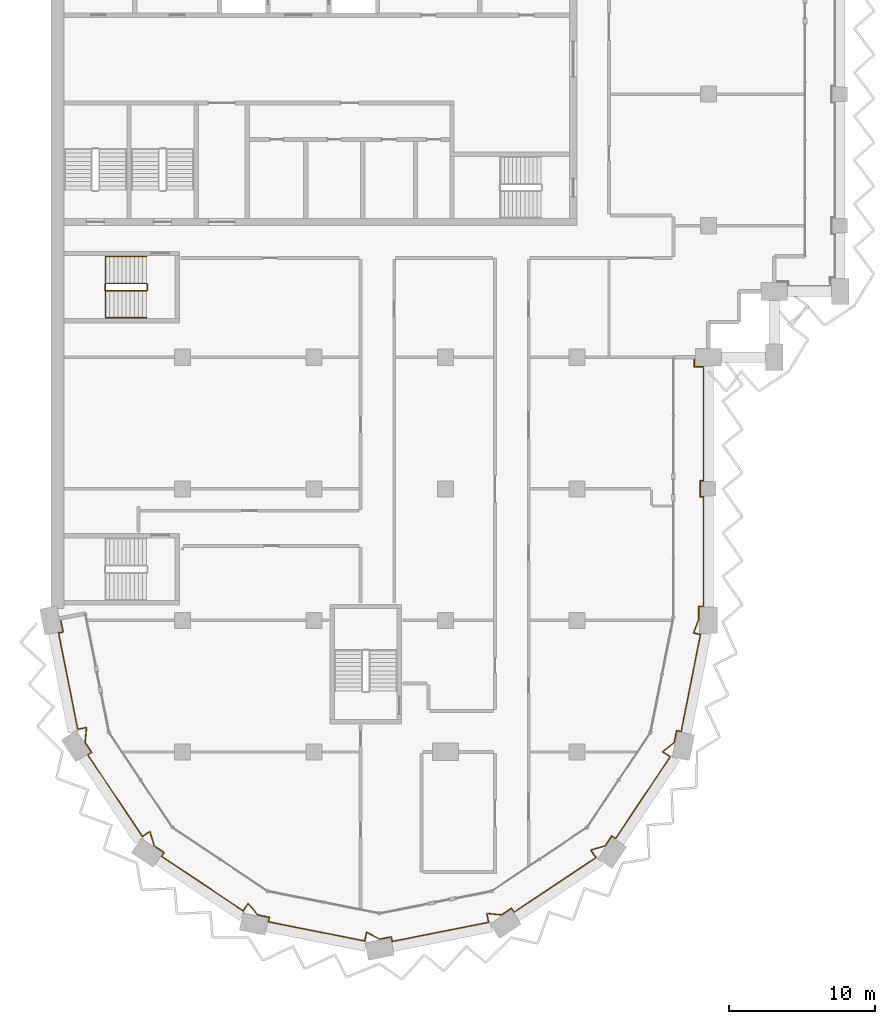
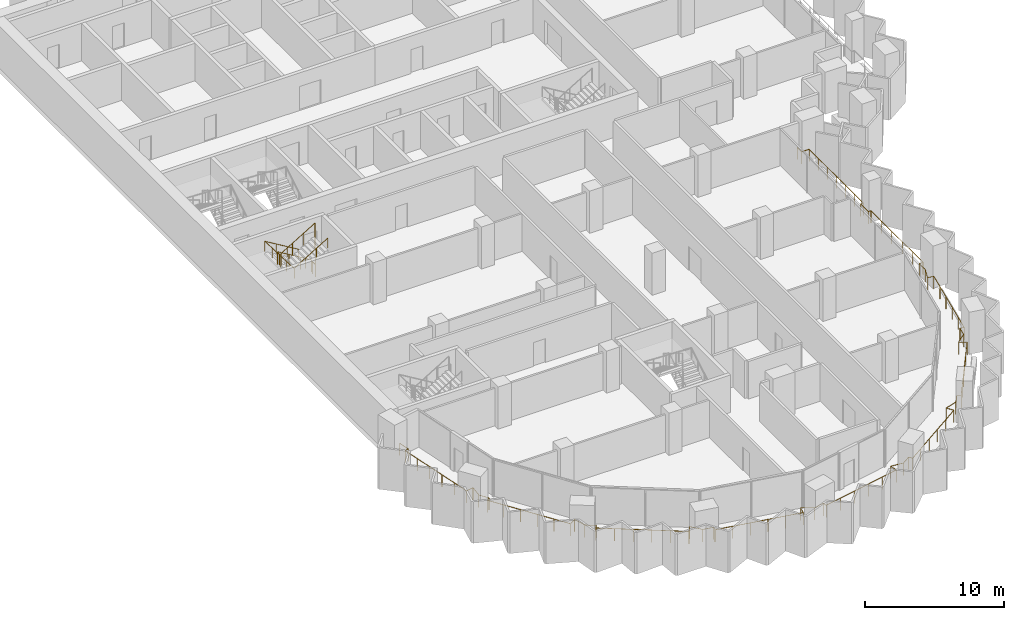
# One storey, part 15 of 17: 3 railings.
"""IFC4 building model written with IfcOpenShell, lengths in metres."""

from ifc_helpers import new_model, si_unit, direction, frame, origin, origin_2d, place, context, subcontext, project, spatial, circle, extrude, material, type_object, element, save


model = new_model("IFC4")

# Units and contexts
model_context = context("Model", 3, precision=1e-05, world=origin(), true_north=direction((0.0, 1.0)))
body_context = subcontext(model_context, "Body", "Model", "MODEL_VIEW")
ifc_project = project(units=[si_unit("LENGTHUNIT", "METRE"), si_unit("AREAUNIT", "SQUARE_METRE"), si_unit("VOLUMEUNIT", "CUBIC_METRE"), si_unit("PLANEANGLEUNIT", "RADIAN"), si_unit("MASSUNIT", "GRAM", prefix="KILO")], contexts=[model_context])

# Site, building, storey
site_placement = place(None, origin())
site = spatial("IfcSite", under=ifc_project, at=site_placement, CompositionType="ELEMENT")
building_placement = place(site_placement, origin())
building = spatial("IfcBuilding", under=site, at=building_placement, Name="Hunhe Ridgeline Campus", CompositionType="ELEMENT")
storey_placement = place(building_placement, frame((0.0, 0.0, 208.699951171875)))
storey = spatial("IfcBuildingStorey", under=building, at=storey_placement, Name="L53", CompositionType="ELEMENT", Elevation=208.699951171875)

# Railings
ifc_material_1 = material(Name="Steel Q355", Category="steel")
railing_type_1 = type_object("IfcRailingType", Name="Loggia guard 1100 Steel Q355", PredefinedType="GUARDRAIL", material=ifc_material_1)
railing_1_placement = place(storey_placement, frame((0.6572265625, 36.130615234375, 0.0)))
element("IfcRailing", 1, at=railing_1_placement, inside=storey, type_object=railing_type_1, Name="Loggia guard 1", PredefinedType="GUARDRAIL", context=body_context, shape_type="SweptSolid", body=[
    extrude(circle(Radius=0.02392578125, at=origin_2d()), frame((0.0, 0.0, 1.076171875), z_axis=(0.195078060519, -0.980787719287, 0.0), x_axis=(0.980787719287, 0.195078060519, 0.0)), (0.0, 0.0, 1.0), 0.949951171875),
    extrude(circle(Radius=0.02392578125, at=origin_2d()), frame((0.185302734375, -0.931640625, 1.076171875), z_axis=(-0.980756274917, -0.195236085831, 0.0), x_axis=(0.195236085831, -0.980756274917, 0.0)), (0.0, 0.0, 1.0), 0.320068359375),
    extrude(circle(Radius=0.02392578125, at=origin_2d()), frame((-0.128662109375, -0.994140625, 1.076171875), z_axis=(0.195081688297, -0.980786997717, 0.0), x_axis=(0.980786997717, 0.195081688297, 0.0)), (0.0, 0.0, 1.0), 6.718017578125),
    extrude(circle(Radius=0.02392578125, at=origin_2d()), frame((1.181884765625, -7.5830078125, 1.076171875), z_axis=(0.980747227858, 0.195281527671, 0.0), x_axis=(-0.195281527671, 0.980747227858, 0.0)), (0.0, 0.0, 1.0), 0.618896484375),
    extrude(circle(Radius=0.02392578125, at=origin_2d()), frame((1.788818359375, -7.462158203125, 1.076171875), z_axis=(-0.100047453171, -0.99498266674, 0.0), x_axis=(0.99498266674, -0.100047453171, 0.0)), (0.0, 0.0, 1.0), 1.0224609375),
    extrude(circle(Radius=0.02392578125, at=origin_2d()), frame((1.6865234375, -8.4794921875, 1.076171875), z_axis=(0.555596479569, -0.83145207432, 0.0), x_axis=(0.83145207432, 0.555596479569, 0.0)), (0.0, 0.0, 1.0), 0.81689453125),
    extrude(circle(Radius=0.02392578125, at=origin_2d()), frame((2.140380859375, -9.15869140625, 1.076171875), z_axis=(-0.831580508376, -0.555404229448, 0.0), x_axis=(0.555404229448, -0.831580508376, 0.0)), (0.0, 0.0, 1.0), 0.320068359375),
    extrude(circle(Radius=0.02392578125, at=origin_2d()), frame((1.874267578125, -9.33642578125, 1.076171875), z_axis=(0.555588848626, -0.831457173451, 0.0), x_axis=(0.831457173451, 0.555588848626, 0.0)), (0.0, 0.0, 1.0), 6.718017578125),
    extrude(circle(Radius=0.02392578125, at=origin_2d()), frame((5.606689453125, -14.922119140625, 1.076171875), z_axis=(0.831442704119, 0.555610501851, 0.0), x_axis=(-0.555610501851, 0.831442704119, 0.0)), (0.0, 0.0, 1.0), 0.61865234375),
    extrude(circle(Radius=0.02392578125, at=origin_2d()), frame((6.12109375, -14.578369140625, 1.076171875), z_axis=(0.28844300651, -0.957497066312, 0.0), x_axis=(0.957497066312, 0.28844300651, 0.0)), (0.0, 0.0, 1.0), 1.0224609375),
    extrude(circle(Radius=0.02392578125, at=origin_2d()), frame((6.416015625, -15.557373046875, 1.076171875), z_axis=(0.831359782977, -0.55573456906, 0.0), x_axis=(0.55573456906, 0.831359782977, 0.0)), (0.0, 0.0, 1.0), 0.816650390625),
    extrude(circle(Radius=0.02392578125, at=origin_2d()), frame((7.094970703125, -16.01123046875, 1.076171875), z_axis=(-0.555404229448, -0.831580508376, 0.0), x_axis=(0.831580508376, -0.555404229448, 0.0)), (0.0, 0.0, 1.0), 0.320068359375),
    extrude(circle(Radius=0.02392578125, at=origin_2d()), frame((6.917236328125, -16.27734375, 1.076171875), z_axis=(0.831473961305, -0.555563724222, 0.0), x_axis=(0.555563724222, 0.831473961305, 0.0)), (0.0, 0.0, 1.0), 6.7177734375),
    extrude(circle(Radius=0.02392578125, at=origin_2d()), frame((12.5029296875, -20.009521484375, 1.076171875), z_axis=(0.555610501851, 0.831442704119, 0.0), x_axis=(-0.831442704119, 0.555610501851, 0.0)), (0.0, 0.0, 1.0), 0.61865234375),
    extrude(circle(Radius=0.02392578125, at=origin_2d()), frame((12.8466796875, -19.4951171875, 1.076171875), z_axis=(0.63289971186, -0.774233785576, 0.0), x_axis=(0.774233785576, 0.63289971186, 0.0)), (0.0, 0.0, 1.0), 1.022705078125),
    extrude(circle(Radius=0.02392578125, at=origin_2d()), frame((13.493896484375, -20.286865234375, 1.076171875), z_axis=(0.980821383877, -0.194908729743, 0.0), x_axis=(0.194908729743, 0.980821383877, 0.0)), (0.0, 0.0, 1.0), 0.816650390625),
    extrude(circle(Radius=0.02392578125, at=origin_2d()), frame((14.294921875, -20.446044921875, 1.076171875), z_axis=(-0.195236085831, -0.980756274917, 0.0), x_axis=(0.980756274917, -0.195236085831, 0.0)), (0.0, 0.0, 1.0), 0.320068359375),
    extrude(circle(Radius=0.02392578125, at=origin_2d()), frame((14.232421875, -20.760009765625, 1.076171875), z_axis=(0.980786997717, -0.195081688297, 0.0), x_axis=(0.195081688297, 0.980786997717, 0.0)), (0.0, 0.0, 1.0), 6.718017578125),
    extrude(circle(Radius=0.02392578125, at=origin_2d()), frame((20.8212890625, -22.070556640625, 1.076171875), z_axis=(0.194902020226, 0.980822717168, 0.0), x_axis=(-0.980822717168, 0.194902020226, 0.0)), (0.0, 0.0, 1.0), 0.618896484375),
    extrude(circle(Radius=0.02392578125, at=origin_2d()), frame((20.94189453125, -21.463623046875, 1.076171875), z_axis=(0.880961256043, -0.473188403652, 0.0), x_axis=(0.473188403652, 0.880961256043, 0.0)), (0.0, 0.0, 1.0), 1.022705078125),
    extrude(circle(Radius=0.02392578125, at=origin_2d()), frame((21.8427734375, -21.947509765625, 1.076171875), z_axis=(0.980764196543, 0.195196287822, 0.0), x_axis=(-0.195196287822, 0.980764196543, 0.0)), (0.0, 0.0, 1.0), 0.816650390625),
    extrude(circle(Radius=0.02392578125, at=origin_2d()), frame((22.643798828125, -21.7880859375, 1.076171875), z_axis=(0.195236085831, -0.980756274917, 0.0), x_axis=(0.980756274917, 0.195236085831, 0.0)), (0.0, 0.0, 1.0), 0.320068359375),
    extrude(circle(Radius=0.02392578125, at=origin_2d()), frame((22.706298828125, -22.10205078125, 1.076171875), z_axis=(0.980786997717, 0.195081688297, 0.0), x_axis=(-0.195081688297, 0.980786997717, 0.0)), (0.0, 0.0, 1.0), 6.718017578125),
    extrude(circle(Radius=0.02392578125, at=origin_2d()), frame((29.295166015625, -20.79150390625, 1.076171875), z_axis=(-0.195281527671, 0.980747227858, 0.0), x_axis=(-0.980747227858, -0.195281527671, 0.0)), (0.0, 0.0, 1.0), 0.618896484375),
    extrude(circle(Radius=0.02392578125, at=origin_2d()), frame((29.17431640625, -20.1845703125, 1.076171875), z_axis=(0.99498266674, -0.100047453171, 0.0), x_axis=(0.100047453171, 0.99498266674, 0.0)), (0.0, 0.0, 1.0), 1.0224609375),
    extrude(circle(Radius=0.02392578125, at=origin_2d()), frame((30.191650390625, -20.286865234375, 1.076171875), z_axis=(0.83145207432, 0.555596479569, 0.0), x_axis=(-0.555596479569, 0.83145207432, 0.0)), (0.0, 0.0, 1.0), 0.81689453125),
    extrude(circle(Radius=0.02392578125, at=origin_2d()), frame((30.870849609375, -19.8330078125, 1.076171875), z_axis=(0.555404229448, -0.831580508376, 0.0), x_axis=(0.831580508376, 0.555404229448, 0.0)), (0.0, 0.0, 1.0), 0.320068359375),
    extrude(circle(Radius=0.02392578125, at=origin_2d()), frame((31.048583984375, -20.09912109375, 1.076171875), z_axis=(0.831457173451, 0.555588848626, 0.0), x_axis=(-0.555588848626, 0.831457173451, 0.0)), (0.0, 0.0, 1.0), 6.718017578125),
    extrude(circle(Radius=0.02392578125, at=origin_2d()), frame((36.63427734375, -16.36669921875, 1.076171875), z_axis=(-0.555610501851, 0.831442704119, 0.0), x_axis=(-0.831442704119, -0.555610501851, 0.0)), (0.0, 0.0, 1.0), 0.61865234375),
    extrude(circle(Radius=0.02392578125, at=origin_2d()), frame((36.29052734375, -15.852294921875, 1.076171875), z_axis=(0.957497066312, 0.28844300651, 0.0), x_axis=(-0.28844300651, 0.957497066312, 0.0)), (0.0, 0.0, 1.0), 1.0224609375),
    extrude(circle(Radius=0.02392578125, at=origin_2d()), frame((37.26953125, -15.557373046875, 1.076171875), z_axis=(0.55573456906, 0.831359782977, 0.0), x_axis=(-0.831359782977, 0.55573456906, 0.0)), (0.0, 0.0, 1.0), 0.816650390625),
    extrude(circle(Radius=0.02392578125, at=origin_2d()), frame((37.723388671875, -14.87841796875, 1.076171875), z_axis=(0.831580508376, -0.555404229448, 0.0), x_axis=(0.555404229448, 0.831580508376, 0.0)), (0.0, 0.0, 1.0), 0.320068359375),
    extrude(circle(Radius=0.02392578125, at=origin_2d()), frame((37.989501953125, -15.05615234375, 1.076171875), z_axis=(0.555563724222, 0.831473961305, 0.0), x_axis=(-0.831473961305, 0.555563724222, 0.0)), (0.0, 0.0, 1.0), 6.7177734375),
    extrude(circle(Radius=0.02392578125, at=origin_2d()), frame((41.7216796875, -9.470458984375, 1.076171875), z_axis=(-0.831442704119, 0.555610501851, 0.0), x_axis=(-0.555610501851, -0.831442704119, 0.0)), (0.0, 0.0, 1.0), 0.61865234375),
    extrude(circle(Radius=0.02392578125, at=origin_2d()), frame((41.207275390625, -9.126708984375, 1.076171875), z_axis=(0.774233785576, 0.63289971186, 0.0), x_axis=(-0.63289971186, 0.774233785576, 0.0)), (0.0, 0.0, 1.0), 1.022705078125),
    extrude(circle(Radius=0.02392578125, at=origin_2d()), frame((41.9990234375, -8.4794921875, 1.076171875), z_axis=(0.194908729743, 0.980821383877, 0.0), x_axis=(-0.980821383877, 0.194908729743, 0.0)), (0.0, 0.0, 1.0), 0.816650390625),
    extrude(circle(Radius=0.02392578125, at=origin_2d()), frame((42.158203125, -7.678466796875, 1.076171875), z_axis=(0.980756274917, -0.195236085831, 0.0), x_axis=(0.195236085831, 0.980756274917, 0.0)), (0.0, 0.0, 1.0), 0.320068359375),
    extrude(circle(Radius=0.02392578125, at=origin_2d()), frame((42.47216796875, -7.740966796875, 1.076171875), z_axis=(0.195084106665, 0.980786516693, 0.0), x_axis=(-0.980786516693, 0.195084106665, 0.0)), (0.0, 0.0, 1.0), 6.779296875),
    extrude(circle(Radius=0.02392578125, at=origin_2d()), frame((43.794677734375, -1.092041015625, 1.076171875), z_axis=(-0.980754922768, 0.195242878144, 0.0), x_axis=(-0.195242878144, -0.980754922768, 0.0)), (0.0, 0.0, 1.0), 0.48388671875),
    extrude(circle(Radius=0.02392578125, at=origin_2d()), frame((43.320068359375, -0.99755859375, 1.076171875), z_axis=(0.353724256779, 0.93534974751, 0.0), x_axis=(-0.93534974751, 0.353724256779, 0.0)), (0.0, 0.0, 1.0), 0.997314453125),
    extrude(circle(Radius=0.02392578125, at=origin_2d()), frame((43.6728515625, -0.064697265625, 1.076171875), z_axis=(0.0, 1.0, 0.0), x_axis=(-1.0, 0.0, 0.0)), (0.0, 0.0, 1.0), 0.884033203125),
    extrude(circle(Radius=0.02392578125, at=origin_2d()), frame((43.6728515625, 0.8193359375, 1.076171875), z_axis=(1.0, 0.0, 0.0), x_axis=(0.0, 1.0, 0.0)), (0.0, 0.0, 1.0), 0.31982421875),
    extrude(circle(Radius=0.02392578125, at=origin_2d()), frame((43.99267578125, 0.8193359375, 1.076171875), z_axis=(0.0, 1.0, 0.0), x_axis=(-1.0, 0.0, 0.0)), (0.0, 0.0, 1.0), 7.5),
    extrude(circle(Radius=0.02392578125, at=origin_2d()), frame((43.99267578125, 8.3193359375, 1.076171875), z_axis=(-1.0, 0.0, 0.0), x_axis=(0.0, -1.0, 0.0)), (0.0, 0.0, 1.0), 0.219970703125),
    extrude(circle(Radius=0.02392578125, at=origin_2d()), frame((43.772705078125, 8.3193359375, 1.076171875), z_axis=(0.0, 1.0, 0.0), x_axis=(-1.0, 0.0, 0.0)), (0.0, 0.0, 1.0), 1.10009765625),
    extrude(circle(Radius=0.02392578125, at=origin_2d()), frame((43.772705078125, 9.41943359375, 1.076171875), z_axis=(1.0, 0.0, 0.0), x_axis=(0.0, 1.0, 0.0)), (0.0, 0.0, 1.0), 0.219970703125),
    extrude(circle(Radius=0.02392578125, at=origin_2d()), frame((43.99267578125, 9.41943359375, 1.076171875), z_axis=(0.0, 1.0, 0.0), x_axis=(-1.0, 0.0, 0.0)), (0.0, 0.0, 1.0), 7.800048828125),
    extrude(circle(Radius=0.02392578125, at=origin_2d()), frame((43.99267578125, 17.219482421875, 1.076171875), z_axis=(-1.0, 0.0, 0.0), x_axis=(0.0, -1.0, 0.0)), (0.0, 0.0, 1.0), 0.619873046875),
    extrude(circle(Radius=0.02392578125, at=origin_2d()), frame((43.372802734375, 17.219482421875, 1.076171875), z_axis=(0.0, 1.0, 0.0), x_axis=(-1.0, 0.0, 0.0)), (0.0, 0.0, 1.0), 0.64990234375),
    extrude(circle(Radius=0.02099609375, at=origin_2d()), origin(), (0.0, 0.0, 1.0), 1.052001953125),
    extrude(circle(Radius=0.02099609375, at=origin_2d()), frame((0.185302734375, -0.931640625, 0.0)), (0.0, 0.0, 1.0), 1.052001953125),
    extrude(circle(Radius=0.02099609375, at=origin_2d()), frame((-0.128662109375, -0.994140625, 0.0)), (0.0, 0.0, 1.0), 1.052001953125),
    extrude(circle(Radius=0.02099609375, at=origin_2d()), frame((0.133544921875, -2.31201171875, 0.0)), (0.0, 0.0, 1.0), 1.052001953125),
    extrude(circle(Radius=0.02099609375, at=origin_2d()), frame((0.3955078125, -3.629638671875, 0.0)), (0.0, 0.0, 1.0), 1.052001953125),
    extrude(circle(Radius=0.02099609375, at=origin_2d()), frame((0.65771484375, -4.947509765625, 0.0)), (0.0, 0.0, 1.0), 1.052001953125),
    extrude(circle(Radius=0.02099609375, at=origin_2d()), frame((0.919677734375, -6.26513671875, 0.0)), (0.0, 0.0, 1.0), 1.052001953125),
    extrude(circle(Radius=0.02099609375, at=origin_2d()), frame((1.181884765625, -7.5830078125, 0.0)), (0.0, 0.0, 1.0), 1.052001953125),
    extrude(circle(Radius=0.02099609375, at=origin_2d()), frame((1.788818359375, -7.462158203125, 0.0)), (0.0, 0.0, 1.0), 1.052001953125),
    extrude(circle(Radius=0.02099609375, at=origin_2d()), frame((1.6865234375, -8.4794921875, 0.0)), (0.0, 0.0, 1.0), 1.052001953125),
    extrude(circle(Radius=0.02099609375, at=origin_2d()), frame((2.140380859375, -9.15869140625, 0.0)), (0.0, 0.0, 1.0), 1.052001953125),
    extrude(circle(Radius=0.02099609375, at=origin_2d()), frame((1.874267578125, -9.33642578125, 0.0)), (0.0, 0.0, 1.0), 1.052001953125),
    extrude(circle(Radius=0.02099609375, at=origin_2d()), frame((2.620849609375, -10.45361328125, 0.0)), (0.0, 0.0, 1.0), 1.052001953125),
    extrude(circle(Radius=0.02099609375, at=origin_2d()), frame((3.3671875, -11.57080078125, 0.0)), (0.0, 0.0, 1.0), 1.052001953125),
    extrude(circle(Radius=0.02099609375, at=origin_2d()), frame((4.11376953125, -12.687744140625, 0.0)), (0.0, 0.0, 1.0), 1.052001953125),
    extrude(circle(Radius=0.02099609375, at=origin_2d()), frame((4.860107421875, -13.804931640625, 0.0)), (0.0, 0.0, 1.0), 1.052001953125),
    extrude(circle(Radius=0.02099609375, at=origin_2d()), frame((5.606689453125, -14.922119140625, 0.0)), (0.0, 0.0, 1.0), 1.052001953125),
    extrude(circle(Radius=0.02099609375, at=origin_2d()), frame((6.12109375, -14.578369140625, 0.0)), (0.0, 0.0, 1.0), 1.052001953125),
    extrude(circle(Radius=0.02099609375, at=origin_2d()), frame((6.416015625, -15.557373046875, 0.0)), (0.0, 0.0, 1.0), 1.052001953125),
    extrude(circle(Radius=0.02099609375, at=origin_2d()), frame((7.094970703125, -16.01123046875, 0.0)), (0.0, 0.0, 1.0), 1.052001953125),
    extrude(circle(Radius=0.02099609375, at=origin_2d()), frame((6.917236328125, -16.27734375, 0.0)), (0.0, 0.0, 1.0), 1.052001953125),
    extrude(circle(Radius=0.02099609375, at=origin_2d()), frame((8.034423828125, -17.023681640625, 0.0)), (0.0, 0.0, 1.0), 1.052001953125),
    extrude(circle(Radius=0.02099609375, at=origin_2d()), frame((9.151611328125, -17.770263671875, 0.0)), (0.0, 0.0, 1.0), 1.052001953125),
    extrude(circle(Radius=0.02099609375, at=origin_2d()), frame((10.2685546875, -18.5166015625, 0.0)), (0.0, 0.0, 1.0), 1.052001953125),
    extrude(circle(Radius=0.02099609375, at=origin_2d()), frame((11.3857421875, -19.26318359375, 0.0)), (0.0, 0.0, 1.0), 1.052001953125),
    extrude(circle(Radius=0.02099609375, at=origin_2d()), frame((12.5029296875, -20.009521484375, 0.0)), (0.0, 0.0, 1.0), 1.052001953125),
    extrude(circle(Radius=0.02099609375, at=origin_2d()), frame((12.8466796875, -19.4951171875, 0.0)), (0.0, 0.0, 1.0), 1.052001953125),
    extrude(circle(Radius=0.02099609375, at=origin_2d()), frame((13.493896484375, -20.286865234375, 0.0)), (0.0, 0.0, 1.0), 1.052001953125),
    extrude(circle(Radius=0.02099609375, at=origin_2d()), frame((14.294921875, -20.446044921875, 0.0)), (0.0, 0.0, 1.0), 1.052001953125),
    extrude(circle(Radius=0.02099609375, at=origin_2d()), frame((14.232421875, -20.760009765625, 0.0)), (0.0, 0.0, 1.0), 1.052001953125),
    extrude(circle(Radius=0.02099609375, at=origin_2d()), frame((15.55029296875, -21.022216796875, 0.0)), (0.0, 0.0, 1.0), 1.052001953125),
    extrude(circle(Radius=0.02099609375, at=origin_2d()), frame((16.867919921875, -21.2841796875, 0.0)), (0.0, 0.0, 1.0), 1.052001953125),
    extrude(circle(Radius=0.02099609375, at=origin_2d()), frame((18.185791015625, -21.54638671875, 0.0)), (0.0, 0.0, 1.0), 1.052001953125),
    extrude(circle(Radius=0.02099609375, at=origin_2d()), frame((19.50341796875, -21.808349609375, 0.0)), (0.0, 0.0, 1.0), 1.052001953125),
    extrude(circle(Radius=0.02099609375, at=origin_2d()), frame((20.8212890625, -22.070556640625, 0.0)), (0.0, 0.0, 1.0), 1.052001953125),
    extrude(circle(Radius=0.02099609375, at=origin_2d()), frame((20.94189453125, -21.463623046875, 0.0)), (0.0, 0.0, 1.0), 1.052001953125),
    extrude(circle(Radius=0.02099609375, at=origin_2d()), frame((21.8427734375, -21.947509765625, 0.0)), (0.0, 0.0, 1.0), 1.052001953125),
    extrude(circle(Radius=0.02099609375, at=origin_2d()), frame((22.643798828125, -21.7880859375, 0.0)), (0.0, 0.0, 1.0), 1.052001953125),
    extrude(circle(Radius=0.02099609375, at=origin_2d()), frame((22.706298828125, -22.10205078125, 0.0)), (0.0, 0.0, 1.0), 1.052001953125),
    extrude(circle(Radius=0.02099609375, at=origin_2d()), frame((24.024169921875, -21.83984375, 0.0)), (0.0, 0.0, 1.0), 1.052001953125),
    extrude(circle(Radius=0.02099609375, at=origin_2d()), frame((25.341796875, -21.577880859375, 0.0)), (0.0, 0.0, 1.0), 1.052001953125),
    extrude(circle(Radius=0.02099609375, at=origin_2d()), frame((26.65966796875, -21.315673828125, 0.0)), (0.0, 0.0, 1.0), 1.052001953125),
    extrude(circle(Radius=0.02099609375, at=origin_2d()), frame((27.977294921875, -21.0537109375, 0.0)), (0.0, 0.0, 1.0), 1.052001953125),
    extrude(circle(Radius=0.02099609375, at=origin_2d()), frame((29.295166015625, -20.79150390625, 0.0)), (0.0, 0.0, 1.0), 1.052001953125),
    extrude(circle(Radius=0.02099609375, at=origin_2d()), frame((29.17431640625, -20.1845703125, 0.0)), (0.0, 0.0, 1.0), 1.052001953125),
    extrude(circle(Radius=0.02099609375, at=origin_2d()), frame((30.191650390625, -20.286865234375, 0.0)), (0.0, 0.0, 1.0), 1.052001953125),
    extrude(circle(Radius=0.02099609375, at=origin_2d()), frame((30.870849609375, -19.8330078125, 0.0)), (0.0, 0.0, 1.0), 1.052001953125),
    extrude(circle(Radius=0.02099609375, at=origin_2d()), frame((31.048583984375, -20.09912109375, 0.0)), (0.0, 0.0, 1.0), 1.052001953125),
    extrude(circle(Radius=0.02099609375, at=origin_2d()), frame((32.165771484375, -19.3525390625, 0.0)), (0.0, 0.0, 1.0), 1.052001953125),
    extrude(circle(Radius=0.02099609375, at=origin_2d()), frame((33.282958984375, -18.606201171875, 0.0)), (0.0, 0.0, 1.0), 1.052001953125),
    extrude(circle(Radius=0.02099609375, at=origin_2d()), frame((34.39990234375, -17.859619140625, 0.0)), (0.0, 0.0, 1.0), 1.052001953125),
    extrude(circle(Radius=0.02099609375, at=origin_2d()), frame((35.51708984375, -17.11328125, 0.0)), (0.0, 0.0, 1.0), 1.052001953125),
    extrude(circle(Radius=0.02099609375, at=origin_2d()), frame((36.63427734375, -16.36669921875, 0.0)), (0.0, 0.0, 1.0), 1.052001953125),
    extrude(circle(Radius=0.02099609375, at=origin_2d()), frame((36.29052734375, -15.852294921875, 0.0)), (0.0, 0.0, 1.0), 1.052001953125),
    extrude(circle(Radius=0.02099609375, at=origin_2d()), frame((37.26953125, -15.557373046875, 0.0)), (0.0, 0.0, 1.0), 1.052001953125),
    extrude(circle(Radius=0.02099609375, at=origin_2d()), frame((37.723388671875, -14.87841796875, 0.0)), (0.0, 0.0, 1.0), 1.052001953125),
    extrude(circle(Radius=0.02099609375, at=origin_2d()), frame((37.989501953125, -15.05615234375, 0.0)), (0.0, 0.0, 1.0), 1.052001953125),
    extrude(circle(Radius=0.02099609375, at=origin_2d()), frame((38.73583984375, -13.93896484375, 0.0)), (0.0, 0.0, 1.0), 1.052001953125),
    extrude(circle(Radius=0.02099609375, at=origin_2d()), frame((39.482421875, -12.82177734375, 0.0)), (0.0, 0.0, 1.0), 1.052001953125),
    extrude(circle(Radius=0.02099609375, at=origin_2d()), frame((40.228759765625, -11.704833984375, 0.0)), (0.0, 0.0, 1.0), 1.052001953125),
    extrude(circle(Radius=0.02099609375, at=origin_2d()), frame((40.975341796875, -10.587646484375, 0.0)), (0.0, 0.0, 1.0), 1.052001953125),
    extrude(circle(Radius=0.02099609375, at=origin_2d()), frame((41.7216796875, -9.470458984375, 0.0)), (0.0, 0.0, 1.0), 1.052001953125),
    extrude(circle(Radius=0.02099609375, at=origin_2d()), frame((41.207275390625, -9.126708984375, 0.0)), (0.0, 0.0, 1.0), 1.052001953125),
    extrude(circle(Radius=0.02099609375, at=origin_2d()), frame((41.9990234375, -8.4794921875, 0.0)), (0.0, 0.0, 1.0), 1.052001953125),
    extrude(circle(Radius=0.02099609375, at=origin_2d()), frame((42.158203125, -7.678466796875, 0.0)), (0.0, 0.0, 1.0), 1.052001953125),
    extrude(circle(Radius=0.02099609375, at=origin_2d()), frame((42.47216796875, -7.740966796875, 0.0)), (0.0, 0.0, 1.0), 1.052001953125),
    extrude(circle(Radius=0.02099609375, at=origin_2d()), frame((42.736572265625, -6.4111328125, 0.0)), (0.0, 0.0, 1.0), 1.052001953125),
    extrude(circle(Radius=0.02099609375, at=origin_2d()), frame((43.001220703125, -5.081298828125, 0.0)), (0.0, 0.0, 1.0), 1.052001953125),
    extrude(circle(Radius=0.02099609375, at=origin_2d()), frame((43.265625, -3.751708984375, 0.0)), (0.0, 0.0, 1.0), 1.052001953125),
    extrude(circle(Radius=0.02099609375, at=origin_2d()), frame((43.5302734375, -2.421875, 0.0)), (0.0, 0.0, 1.0), 1.052001953125),
    extrude(circle(Radius=0.02099609375, at=origin_2d()), frame((43.794677734375, -1.092041015625, 0.0)), (0.0, 0.0, 1.0), 1.052001953125),
    extrude(circle(Radius=0.02099609375, at=origin_2d()), frame((43.320068359375, -0.99755859375, 0.0)), (0.0, 0.0, 1.0), 1.052001953125),
    extrude(circle(Radius=0.02099609375, at=origin_2d()), frame((43.6728515625, -0.064697265625, 0.0)), (0.0, 0.0, 1.0), 1.052001953125),
    extrude(circle(Radius=0.02099609375, at=origin_2d()), frame((43.6728515625, 0.8193359375, 0.0)), (0.0, 0.0, 1.0), 1.052001953125),
    extrude(circle(Radius=0.02099609375, at=origin_2d()), frame((43.99267578125, 0.8193359375, 0.0)), (0.0, 0.0, 1.0), 1.052001953125),
    extrude(circle(Radius=0.02099609375, at=origin_2d()), frame((43.99267578125, 2.3193359375, 0.0)), (0.0, 0.0, 1.0), 1.052001953125),
    extrude(circle(Radius=0.02099609375, at=origin_2d()), frame((43.99267578125, 3.8193359375, 0.0)), (0.0, 0.0, 1.0), 1.052001953125),
    extrude(circle(Radius=0.02099609375, at=origin_2d()), frame((43.99267578125, 5.3193359375, 0.0)), (0.0, 0.0, 1.0), 1.052001953125),
    extrude(circle(Radius=0.02099609375, at=origin_2d()), frame((43.99267578125, 6.8193359375, 0.0)), (0.0, 0.0, 1.0), 1.052001953125),
    extrude(circle(Radius=0.02099609375, at=origin_2d()), frame((43.99267578125, 8.3193359375, 0.0)), (0.0, 0.0, 1.0), 1.052001953125),
    extrude(circle(Radius=0.02099609375, at=origin_2d()), frame((43.772705078125, 8.3193359375, 0.0)), (0.0, 0.0, 1.0), 1.052001953125),
    extrude(circle(Radius=0.02099609375, at=origin_2d()), frame((43.772705078125, 9.41943359375, 0.0)), (0.0, 0.0, 1.0), 1.052001953125),
    extrude(circle(Radius=0.02099609375, at=origin_2d()), frame((43.99267578125, 9.41943359375, 0.0)), (0.0, 0.0, 1.0), 1.052001953125),
    extrude(circle(Radius=0.02099609375, at=origin_2d()), frame((43.99267578125, 10.719482421875, 0.0)), (0.0, 0.0, 1.0), 1.052001953125),
    extrude(circle(Radius=0.02099609375, at=origin_2d()), frame((43.99267578125, 12.01953125, 0.0)), (0.0, 0.0, 1.0), 1.052001953125),
    extrude(circle(Radius=0.02099609375, at=origin_2d()), frame((43.99267578125, 13.3193359375, 0.0)), (0.0, 0.0, 1.0), 1.052001953125),
    extrude(circle(Radius=0.02099609375, at=origin_2d()), frame((43.99267578125, 14.619384765625, 0.0)), (0.0, 0.0, 1.0), 1.052001953125),
    extrude(circle(Radius=0.02099609375, at=origin_2d()), frame((43.99267578125, 15.91943359375, 0.0)), (0.0, 0.0, 1.0), 1.052001953125),
    extrude(circle(Radius=0.02099609375, at=origin_2d()), frame((43.99267578125, 17.219482421875, 0.0)), (0.0, 0.0, 1.0), 1.052001953125),
    extrude(circle(Radius=0.02099609375, at=origin_2d()), frame((43.372802734375, 17.219482421875, 0.0)), (0.0, 0.0, 1.0), 1.052001953125),
    extrude(circle(Radius=0.02099609375, at=origin_2d()), frame((43.372802734375, 17.869384765625, 0.0)), (0.0, 0.0, 1.0), 1.052001953125),
])
ifc_material_2 = material(Name="Stainless steel balustrade", Category="steel")
railing_type_2 = type_object("IfcRailingType", Name="Stair guard 1100 stainless", PredefinedType="GUARDRAIL", material=ifc_material_2)
railing_2_placement = place(storey_placement, frame((6.550048828125, 59.050048828125, 0.168212890625)))
element("IfcRailing", 2, at=railing_2_placement, inside=storey, type_object=railing_type_2, Name="L53 stair W2 guard", PredefinedType="GUARDRAIL", context=body_context, shape_type="SweptSolid", body=[
    extrude(circle(Radius=0.02392578125, at=origin_2d()), frame((0.0, 0.0, 1.076171875), z_axis=(-0.857242210791, 0.0, 0.514913383045), x_axis=(0.0, -1.0, 0.0)), (0.0, 0.0, 1.0), 3.266357421875),
    extrude(circle(Radius=0.02392578125, at=origin_2d()), frame((-2.800048828125, 0.0, 2.7578125), z_axis=(-0.707106781187, -0.707106781187, 0.0), x_axis=(0.707106781187, -0.707106781187, 0.0)), (0.0, 0.0, 1.0), 0.07080078125),
    extrude(circle(Radius=0.02392578125, at=origin_2d()), frame((-2.85009765625, -0.050048828125, 2.7578125), z_axis=(0.0, -1.0, 0.0), x_axis=(1.0, 0.0, 0.0)), (0.0, 0.0, 1.0), 0.39990234375),
    extrude(circle(Radius=0.02392578125, at=origin_2d()), frame((-2.85009765625, -0.449951171875, 2.7578125), z_axis=(0.274243871929, -0.274243871929, 0.92172696468), x_axis=(0.707106781187, 0.707106781187, 0.0)), (0.0, 0.0, 1.0), 0.1826171875),
    extrude(circle(Radius=0.02392578125, at=origin_2d()), frame((-2.800048828125, -0.5, 2.92626953125), z_axis=(0.857275202839, 0.0, 0.514858452973), x_axis=(0.0, 1.0, 0.0)), (0.0, 0.0, 1.0), 3.26611328125),
    extrude(circle(Radius=0.02392578125, at=origin_2d()), frame((0.0, -0.5, 4.60791015625), z_axis=(0.013524414389, 0.013524414389, -0.999817073484), x_axis=(-0.707106781187, 0.707106781187, 0.0)), (0.0, 0.0, 1.0), 3.70068359375),
    extrude(circle(Radius=0.02392578125, at=origin_2d()), frame((0.050048828125, -0.449951171875, 0.90771484375), z_axis=(0.0, 1.0, 0.0), x_axis=(-1.0, 0.0, 0.0)), (0.0, 0.0, 1.0), 0.39990234375),
    extrude(circle(Radius=0.02099609375, at=origin_2d()), origin(), (0.0, 0.0, 1.0), 1.052001953125),
    extrude(circle(Radius=0.02099609375, at=origin_2d()), frame((-0.933349609375, 0.0, 0.560546875)), (0.0, 0.0, 1.0), 1.052001953125),
    extrude(circle(Radius=0.02099609375, at=origin_2d()), frame((-1.86669921875, 0.0, 1.121337890625)), (0.0, 0.0, 1.0), 1.052001953125),
    extrude(circle(Radius=0.02099609375, at=origin_2d()), frame((-2.800048828125, 0.0, 1.681884765625)), (0.0, 0.0, 1.0), 1.052001953125),
    extrude(circle(Radius=0.02099609375, at=origin_2d()), frame((-2.85009765625, -0.050048828125, 1.681884765625)), (0.0, 0.0, 1.0), 1.052001953125),
    extrude(circle(Radius=0.02099609375, at=origin_2d()), frame((-2.85009765625, -0.449951171875, 1.681884765625)), (0.0, 0.0, 1.0), 1.052001953125),
    extrude(circle(Radius=0.02099609375, at=origin_2d()), frame((-2.800048828125, -0.5, 1.85009765625)), (0.0, 0.0, 1.0), 1.052001953125),
    extrude(circle(Radius=0.02099609375, at=origin_2d()), frame((-1.86669921875, -0.5, 2.41064453125)), (0.0, 0.0, 1.0), 1.052001953125),
    extrude(circle(Radius=0.02099609375, at=origin_2d()), frame((-0.933349609375, -0.5, 2.97119140625)), (0.0, 0.0, 1.0), 1.052001953125),
    extrude(circle(Radius=0.02099609375, at=origin_2d()), frame((0.0, -0.5, 3.53173828125)), (0.0, 0.0, 1.0), 1.052001953125),
    extrude(circle(Radius=0.02099609375, at=origin_2d()), frame((0.012451171875, -0.487548828125, 2.606689453125)), (0.0, 0.0, 1.0), 1.052001953125),
    extrude(circle(Radius=0.02099609375, at=origin_2d()), frame((0.02490234375, -0.47509765625, 1.681640625)), (0.0, 0.0, 1.0), 1.052001953125),
    extrude(circle(Radius=0.02099609375, at=origin_2d()), frame((0.03759765625, -0.46240234375, 0.7568359375)), (0.0, 0.0, 1.0), 1.052001953125),
    extrude(circle(Radius=0.02099609375, at=origin_2d()), frame((0.050048828125, -0.449951171875, -0.168212890625)), (0.0, 0.0, 1.0), 1.052001953125),
    extrude(circle(Radius=0.02099609375, at=origin_2d()), frame((0.050048828125, -0.050048828125, -0.168212890625)), (0.0, 0.0, 1.0), 1.052001953125),
])
ifc_material_3 = material(Name="Stainless steel handrail", Category="steel")
railing_type_3 = type_object("IfcRailingType", Name="Stair handrail 900 stainless", PredefinedType="HANDRAIL", material=ifc_material_3)
railing_3_placement = place(storey_placement, frame((6.550048828125, 60.89990234375, 0.168212890625)))
element("IfcRailing", 3, at=railing_3_placement, inside=storey, type_object=railing_type_3, Name="L53 stair W2 handrail", PredefinedType="HANDRAIL", context=body_context, shape_type="SweptSolid", body=[
    extrude(circle(Radius=0.02392578125, at=origin_2d()), frame((0.0, 0.0, 0.8759765625), z_axis=(-0.857242210791, 0.0, 0.514913383045), x_axis=(0.0, -1.0, 0.0)), (0.0, 0.0, 1.0), 3.266357421875),
    extrude(circle(Radius=0.02392578125, at=origin_2d()), frame((-2.800048828125, 0.0, 2.5576171875), z_axis=(0.0, -0.999198916169, 0.040019069537), x_axis=(1.0, 0.0, 0.0)), (0.0, 0.0, 1.0), 4.203369140625),
    extrude(circle(Radius=0.02392578125, at=origin_2d()), frame((-2.800048828125, -4.199951171875, 2.72607421875), z_axis=(0.857275202839, 0.0, 0.514858452973), x_axis=(0.0, 1.0, 0.0)), (0.0, 0.0, 1.0), 3.26611328125),
    extrude(circle(Radius=0.02099609375, at=origin_2d()), origin(), (0.0, 0.0, 1.0), 0.851806640625),
    extrude(circle(Radius=0.02099609375, at=origin_2d()), frame((-0.933349609375, 0.0, 0.560546875)), (0.0, 0.0, 1.0), 0.851806640625),
    extrude(circle(Radius=0.02099609375, at=origin_2d()), frame((-1.86669921875, 0.0, 1.121337890625)), (0.0, 0.0, 1.0), 0.851806640625),
    extrude(circle(Radius=0.02099609375, at=origin_2d()), frame((-2.800048828125, 0.0, 1.681884765625)), (0.0, 0.0, 1.0), 0.851806640625),
    extrude(circle(Radius=0.02099609375, at=origin_2d()), frame((-2.800048828125, -1.050048828125, 1.723876953125)), (0.0, 0.0, 1.0), 0.851806640625),
    extrude(circle(Radius=0.02099609375, at=origin_2d()), frame((-2.800048828125, -2.10009765625, 1.76611328125)), (0.0, 0.0, 1.0), 0.851806640625),
    extrude(circle(Radius=0.02099609375, at=origin_2d()), frame((-2.800048828125, -3.14990234375, 1.80810546875)), (0.0, 0.0, 1.0), 0.851806640625),
    extrude(circle(Radius=0.02099609375, at=origin_2d()), frame((-2.800048828125, -4.199951171875, 1.85009765625)), (0.0, 0.0, 1.0), 0.851806640625),
    extrude(circle(Radius=0.02099609375, at=origin_2d()), frame((-1.86669921875, -4.199951171875, 2.41064453125)), (0.0, 0.0, 1.0), 0.851806640625),
    extrude(circle(Radius=0.02099609375, at=origin_2d()), frame((-0.933349609375, -4.199951171875, 2.97119140625)), (0.0, 0.0, 1.0), 0.851806640625),
    extrude(circle(Radius=0.02099609375, at=origin_2d()), frame((0.0, -4.199951171875, 3.53173828125)), (0.0, 0.0, 1.0), 0.851806640625),
])

save(model, "model.ifc")
